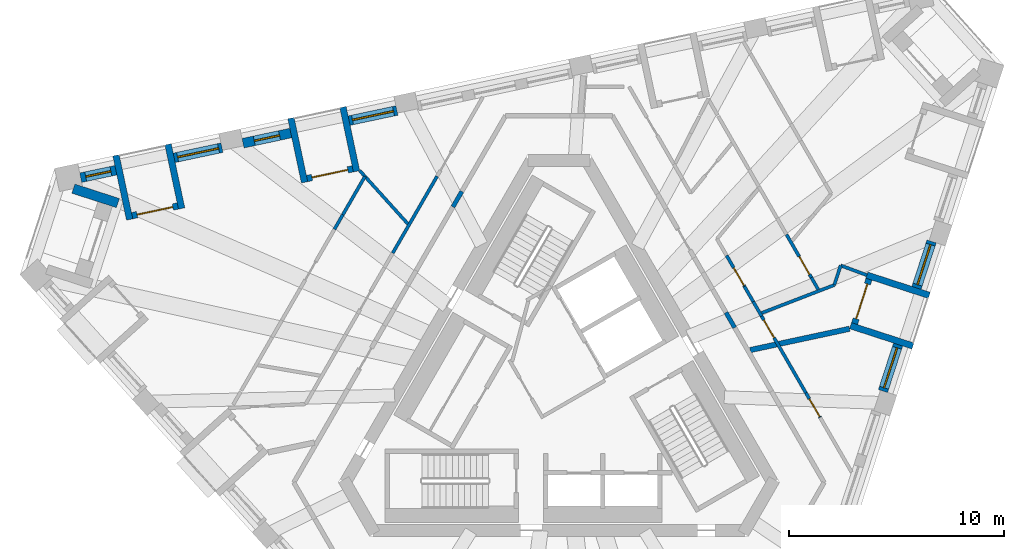
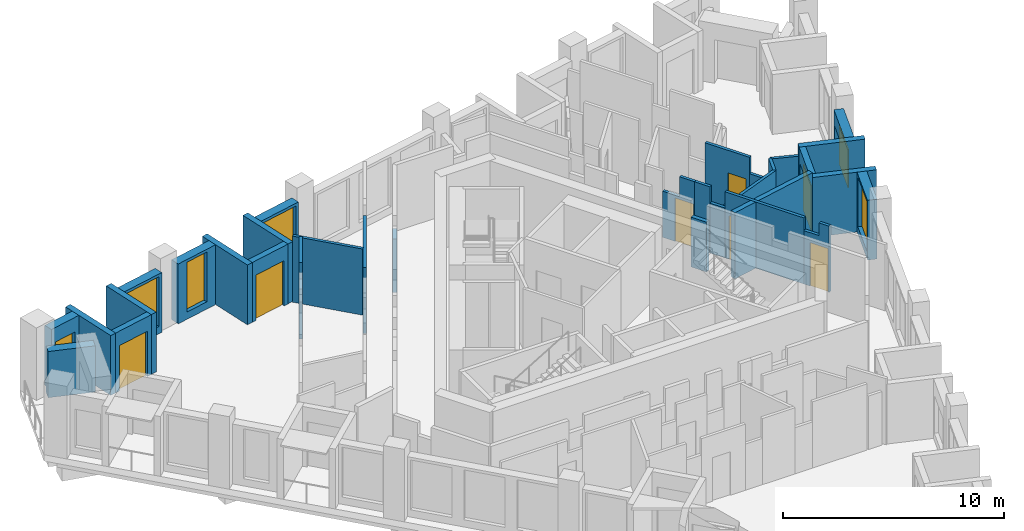
# One storey, part 6 of 12: 33 walls, 7 doors, 6 windows, 13 openings.
"""IFC4 building model written with IfcOpenShell, lengths in metres."""

from ifc_helpers import new_model, si_unit, direction, frame, frame_2d, origin, place, context, subcontext, project, spatial, polyline, rectangle, outline, extrude, material, layer, layer_set, type_object, element, fill, save


model = new_model("IFC4")

# Units and contexts
model_context = context("Model", 3, precision=1e-05, world=origin(), true_north=direction((0.0, 1.0)))
body_context = subcontext(model_context, "Body", "Model", "MODEL_VIEW")
ifc_project = project(units=[si_unit("LENGTHUNIT", "METRE"), si_unit("AREAUNIT", "SQUARE_METRE"), si_unit("VOLUMEUNIT", "CUBIC_METRE"), si_unit("PLANEANGLEUNIT", "RADIAN"), si_unit("MASSUNIT", "GRAM", prefix="KILO")], contexts=[model_context])

# Site, building, storey
site_placement = place(None, origin())
site = spatial("IfcSite", under=ifc_project, at=site_placement, CompositionType="ELEMENT")
building_placement = place(site_placement, origin())
building = spatial("IfcBuilding", under=site, at=building_placement, Name="Tramontana Tower", CompositionType="ELEMENT")
storey_placement = place(building_placement, frame((0.0, 0.0, 344.39990234375)))
storey = spatial("IfcBuildingStorey", under=building, at=storey_placement, Name="L79", CompositionType="ELEMENT", Elevation=344.39990234375)

# Walls
ifc_material_1 = material(Name="Blockwork", Category="masonry")
ifc_layer_1 = layer(ifc_material_1, 0.199951171875)
ifc_layer_set_1 = layer_set([ifc_layer_1], Name="ENTRY WALL 200")
wall_type_1 = type_object("IfcWallType", Name="ENTRY WALL 200", PredefinedType="SOLIDWALL", material=ifc_layer_set_1)
wall_1_placement = place(storey_placement, frame((-4.9287109375, 8.563232421875, 0.0), z_axis=(0.0, 0.0, 1.0), x_axis=(0.500046299512, 0.865998671098, 0.0)))
element("IfcWall", 1, at=wall_1_placement, inside=storey, type_object=wall_type_1, Name="Wall v82-ew3-9", PredefinedType="SOLIDWALL", context=body_context, shape_type="SweptSolid", body=[
    extrude(rectangle(XDim=0.82666015625, YDim=0.199951171875, at=frame_2d((0.413330078125, 0.0))), origin(), (0.0, 0.0, 1.0), 2.9501953125),
])
wall_2_placement = place(storey_placement, frame((7.765380859375, 3.64990234375, 0.0), z_axis=(0.0, 0.0, 1.0), x_axis=(0.500141487433, -0.865943700565, 0.0)))
element("IfcWall", 2, at=wall_2_placement, inside=storey, type_object=wall_type_1, Name="Wall v82-ew5-7", PredefinedType="SOLIDWALL", context=body_context, shape_type="SweptSolid", body=[
    extrude(rectangle(XDim=0.806884765625, YDim=0.199951171875, at=frame_2d((0.4033203125, 0.0))), origin(), (0.0, 0.0, 1.0), 2.75),
])

# Wall, opening, window
ifc_material_2 = material(Name="Precast concrete 60 MPa", Category="concrete")
ifc_layer_2 = layer(ifc_material_2, 0.449951171875)
ifc_layer_set_2 = layer_set([ifc_layer_2], Name="Precast concrete 60 MPa, 450 mm")
wall_type_2 = type_object("IfcWallType", Name="EW1 Stone-faced precast wall 450", PredefinedType="SOLIDWALL", material=ifc_layer_set_2)
wall_3_placement = place(storey_placement, frame((15.06298828125, 0.00244140625, 0.0), z_axis=(0.0, 0.0, 1.0), x_axis=(0.309059334219, 0.951042758204, 0.0)))
wall_3 = element("IfcWall", 3, at=wall_3_placement, inside=storey, type_object=wall_type_2, Name="External wall L79 face 1 bay 4", PredefinedType="SOLIDWALL", context=body_context, shape_type="SweptSolid", body=[
    extrude(rectangle(XDim=2.27099609375, YDim=0.449951171875, at=frame_2d((1.135498046875, 0.0))), origin(), (0.0, 0.0, 1.0), 3.300048828125),
])
opening_1_placement = place(wall_3_placement, frame((0.16064453125, 0.0, 0.39990234375)))
opening_1 = element("IfcOpeningElement", 4, at=opening_1_placement, cuts=wall_3, Name="Opening M3", PredefinedType="OPENING", context=body_context, shape_type="SweptSolid", body=[
    extrude(rectangle(XDim=1.949951171875, YDim=2.75, at=frame_2d((0.97509765625, 1.375))), frame((0.0, 0.23486328125, 0.0), z_axis=(0.0, -1.0, 0.0), x_axis=(1.0, 0.0, 0.0)), (0.0, 0.0, 1.0), 0.469970703125),
])
ifc_material_3 = material(Name="Aluminum frame, double glazing unit", Category="aluminium")
window_type_1 = type_object("IfcWindowType", Name="M3 Window 1.95 x 2.75", PartitioningType="SINGLE_PANEL", PredefinedType="WINDOW", material=ifc_material_3)
window_1_placement = place(opening_1_placement, origin())
window_1 = element("IfcWindow", 5, at=window_1_placement, inside=storey, type_object=window_type_1, Name="Window M3 L79 face 1 module 10", OverallHeight=2.75, OverallWidth=1.949951171875, PartitioningType="SINGLE_PANEL", PredefinedType="WINDOW", context=body_context, shape_type="SweptSolid", body=[
    extrude(rectangle(XDim=1.949951171875, YDim=2.75, at=frame_2d((0.97509765625, 1.375))), frame((0.0, 0.030029296875, 0.0), z_axis=(0.0, -1.0, 0.0), x_axis=(1.0, 0.0, 0.0)), (0.0, 0.0, 1.0), 0.06005859375),
])
fill(opening_1, window_1)

wall_4_placement = place(storey_placement, frame((16.62109375, 4.798095703125, 0.0), z_axis=(0.0, 0.0, 1.0), x_axis=(0.309027740273, 0.951053024674, 0.0)))
wall_4 = element("IfcWall", 6, at=wall_4_placement, inside=storey, type_object=wall_type_2, Name="External wall L79 face 1 bay 4", PredefinedType="SOLIDWALL", context=body_context, shape_type="SweptSolid", body=[
    extrude(rectangle(XDim=2.271240234375, YDim=0.449951171875, at=frame_2d((1.1357421875, 0.0))), origin(), (0.0, 0.0, 1.0), 3.300048828125),
])
opening_2_placement = place(wall_4_placement, frame((0.16064453125, 0.0, 0.39990234375)))
opening_2 = element("IfcOpeningElement", 7, at=opening_2_placement, cuts=wall_4, Name="Opening M3L", PredefinedType="OPENING", context=body_context, shape_type="SweptSolid", body=[
    extrude(rectangle(XDim=1.949951171875, YDim=2.10009765625, at=frame_2d((0.97509765625, 1.050048828125))), frame((0.0, 0.23486328125, 0.0), z_axis=(0.0, -1.0, 0.0), x_axis=(1.0, 0.0, 0.0)), (0.0, 0.0, 1.0), 0.469970703125),
])
ifc_material_4 = material(Name="Aluminum frame, double glazing unit", Category="aluminium")
window_type_2 = type_object("IfcWindowType", Name="M3L Window 1.95 x 2.1", PartitioningType="SINGLE_PANEL", PredefinedType="WINDOW", material=ifc_material_4)
window_2_placement = place(opening_2_placement, origin())
window_2 = element("IfcWindow", 8, at=window_2_placement, inside=storey, type_object=window_type_2, Name="Window M3L L79 face 1 module 12", OverallHeight=2.10009765625, OverallWidth=1.949951171875, PartitioningType="SINGLE_PANEL", PredefinedType="WINDOW", context=body_context, shape_type="SweptSolid", body=[
    extrude(rectangle(XDim=1.949951171875, YDim=2.10009765625, at=frame_2d((0.97509765625, 1.050048828125))), frame((0.0, 0.030029296875, 0.0), z_axis=(0.0, -1.0, 0.0), x_axis=(1.0, 0.0, 0.0)), (0.0, 0.0, 1.0), 0.06005859375),
])
fill(opening_2, window_2)

wall_5_placement = place(storey_placement, frame((-7.533447265625, 13.043701171875, 0.0), z_axis=(0.0, 0.0, 1.0), x_axis=(-0.978153386925, -0.207884467067, 0.0)))
wall_5 = element("IfcWall", 9, at=wall_5_placement, inside=storey, type_object=wall_type_2, Name="External wall L79 face 2 bay 4", PredefinedType="SOLIDWALL", context=body_context, shape_type="SweptSolid", body=[
    extrude(rectangle(XDim=2.271240234375, YDim=0.449951171875, at=frame_2d((1.1357421875, 0.0))), origin(), (0.0, 0.0, 1.0), 3.300048828125),
])
opening_3_placement = place(wall_5_placement, frame((0.16064453125, 0.0, 0.39990234375)))
opening_3 = element("IfcOpeningElement", 10, at=opening_3_placement, cuts=wall_5, Name="Opening M3", PredefinedType="OPENING", context=body_context, shape_type="SweptSolid", body=[
    extrude(rectangle(XDim=1.949951171875, YDim=2.75, at=frame_2d((0.97509765625, 1.375))), frame((0.0, 0.23486328125, 0.0), z_axis=(0.0, -1.0, 0.0), x_axis=(1.0, 0.0, 0.0)), (0.0, 0.0, 1.0), 0.469970703125),
])
window_3_placement = place(opening_3_placement, origin())
window_3 = element("IfcWindow", 11, at=window_3_placement, inside=storey, type_object=window_type_1, Name="Window M3 L79 face 2 module 10", OverallHeight=2.75, OverallWidth=1.949951171875, PartitioningType="SINGLE_PANEL", PredefinedType="WINDOW", context=body_context, shape_type="SweptSolid", body=[
    extrude(rectangle(XDim=1.949951171875, YDim=2.75, at=frame_2d((0.97509765625, 1.375))), frame((0.0, 0.030029296875, 0.0), z_axis=(0.0, -1.0, 0.0), x_axis=(1.0, 0.0, 0.0)), (0.0, 0.0, 1.0), 0.06005859375),
])
fill(opening_3, window_3)

wall_6_placement = place(storey_placement, frame((-12.4658203125, 11.995361328125, 0.0), z_axis=(0.0, 0.0, 1.0), x_axis=(-0.978153386925, -0.207884467067, 0.0)))
wall_6 = element("IfcWall", 12, at=wall_6_placement, inside=storey, type_object=wall_type_2, Name="External wall L79 face 2 bay 4", PredefinedType="SOLIDWALL", context=body_context, shape_type="SweptSolid", body=[
    extrude(rectangle(XDim=2.271240234375, YDim=0.449951171875, at=frame_2d((1.1357421875, 0.0))), origin(), (0.0, 0.0, 1.0), 3.300048828125),
])
opening_4_placement = place(wall_6_placement, frame((0.53564453125, 0.0, 0.39990234375)))
opening_4 = element("IfcOpeningElement", 13, at=opening_4_placement, cuts=wall_6, Name="Opening N3", PredefinedType="OPENING", context=body_context, shape_type="SweptSolid", body=[
    extrude(rectangle(XDim=1.199951171875, YDim=2.75, at=frame_2d((0.60009765625, 1.375))), frame((0.0, 0.23486328125, 0.0), z_axis=(0.0, -1.0, 0.0), x_axis=(1.0, 0.0, 0.0)), (0.0, 0.0, 1.0), 0.469970703125),
])
ifc_material_5 = material(Name="Aluminum frame, double glazing unit", Category="aluminium")
window_type_3 = type_object("IfcWindowType", Name="N3 Window 1.2 x 2.75", PartitioningType="SINGLE_PANEL", PredefinedType="WINDOW", material=ifc_material_5)
window_4_placement = place(opening_4_placement, origin())
window_4 = element("IfcWindow", 14, at=window_4_placement, inside=storey, type_object=window_type_3, Name="Window N3 L79 face 2 module 12", OverallHeight=2.75, OverallWidth=1.199951171875, PartitioningType="SINGLE_PANEL", PredefinedType="WINDOW", context=body_context, shape_type="SweptSolid", body=[
    extrude(rectangle(XDim=1.199951171875, YDim=2.75, at=frame_2d((0.60009765625, 1.375))), frame((0.0, 0.030029296875, 0.0), z_axis=(0.0, -1.0, 0.0), x_axis=(1.0, 0.0, 0.0)), (0.0, 0.0, 1.0), 0.06005859375),
])
fill(opening_4, window_4)

wall_7_placement = place(storey_placement, frame((-15.665771484375, 11.315185546875, 0.0), z_axis=(0.0, 0.0, 1.0), x_axis=(-0.978148740936, -0.207906326516, 0.0)))
wall_7 = element("IfcWall", 15, at=wall_7_placement, inside=storey, type_object=wall_type_2, Name="External wall L79 face 2 bay 5", PredefinedType="SOLIDWALL", context=body_context, shape_type="SweptSolid", body=[
    extrude(rectangle(XDim=2.27099609375, YDim=0.449951171875, at=frame_2d((1.135498046875, 0.0))), origin(), (0.0, 0.0, 1.0), 3.300048828125),
])
opening_5_placement = place(wall_7_placement, frame((0.16064453125, 0.0, 0.39990234375)))
opening_5 = element("IfcOpeningElement", 16, at=opening_5_placement, cuts=wall_7, Name="Opening M3", PredefinedType="OPENING", context=body_context, shape_type="SweptSolid", body=[
    extrude(rectangle(XDim=1.949951171875, YDim=2.75, at=frame_2d((0.97509765625, 1.375))), frame((0.0, 0.23486328125, 0.0), z_axis=(0.0, -1.0, 0.0), x_axis=(1.0, 0.0, 0.0)), (0.0, 0.0, 1.0), 0.469970703125),
])
window_5_placement = place(opening_5_placement, origin())
window_5 = element("IfcWindow", 17, at=window_5_placement, inside=storey, type_object=window_type_1, Name="Window M3 L79 face 2 module 13", OverallHeight=2.75, OverallWidth=1.949951171875, PartitioningType="SINGLE_PANEL", PredefinedType="WINDOW", context=body_context, shape_type="SweptSolid", body=[
    extrude(rectangle(XDim=1.949951171875, YDim=2.75, at=frame_2d((0.97509765625, 1.375))), frame((0.0, 0.030029296875, 0.0), z_axis=(0.0, -1.0, 0.0), x_axis=(1.0, 0.0, 0.0)), (0.0, 0.0, 1.0), 0.06005859375),
])
fill(opening_5, window_5)

wall_8_placement = place(storey_placement, frame((-20.59814453125, 10.266845703125, 0.0), z_axis=(0.0, 0.0, 1.0), x_axis=(-0.978126168783, -0.208012494676, 0.0)))
wall_8 = element("IfcWall", 18, at=wall_8_placement, inside=storey, type_object=wall_type_2, Name="External wall L79 face 2 bay 5", PredefinedType="SOLIDWALL", context=body_context, shape_type="SweptSolid", body=[
    extrude(rectangle(XDim=1.67138671875, YDim=0.449951171875, at=frame_2d((0.835693359375, 0.0))), origin(), (0.0, 0.0, 1.0), 3.300048828125),
])
opening_6_placement = place(wall_8_placement, frame((0.235595703125, 0.0, 0.39990234375)))
opening_6 = element("IfcOpeningElement", 19, at=opening_6_placement, cuts=wall_8, Name="Opening N3L", PredefinedType="OPENING", context=body_context, shape_type="SweptSolid", body=[
    extrude(rectangle(XDim=1.199951171875, YDim=2.10009765625, at=frame_2d((0.60009765625, 1.050048828125))), frame((0.0, 0.23486328125, 0.0), z_axis=(0.0, -1.0, 0.0), x_axis=(1.0, 0.0, 0.0)), (0.0, 0.0, 1.0), 0.469970703125),
])
ifc_material_6 = material(Name="Aluminum frame, double glazing unit", Category="aluminium")
window_type_4 = type_object("IfcWindowType", Name="N3L Window 1.2 x 2.1", PartitioningType="SINGLE_PANEL", PredefinedType="WINDOW", material=ifc_material_6)
window_6_placement = place(opening_6_placement, origin())
window_6 = element("IfcWindow", 20, at=window_6_placement, inside=storey, type_object=window_type_4, Name="Window N3L L79 face 2 module 15", OverallHeight=2.10009765625, OverallWidth=1.199951171875, PartitioningType="SINGLE_PANEL", PredefinedType="WINDOW", context=body_context, shape_type="SweptSolid", body=[
    extrude(rectangle(XDim=1.199951171875, YDim=2.10009765625, at=frame_2d((0.60009765625, 1.050048828125))), frame((0.0, 0.030029296875, 0.0), z_axis=(0.0, -1.0, 0.0), x_axis=(1.0, 0.0, 0.0)), (0.0, 0.0, 1.0), 0.06005859375),
])
fill(opening_6, window_6)

# Wall
wall_9_placement = place(storey_placement, frame((-22.57568359375, 9.411865234375, 0.0), z_axis=(0.0, 0.0, 1.0), x_axis=(0.951064526973, -0.308992338955, 0.0)))
element("IfcWall", 21, at=wall_9_placement, inside=storey, type_object=wall_type_2, Name="Corner loggia side wall L79 K80r", PredefinedType="SOLIDWALL", context=body_context, shape_type="SweptSolid", body=[
    extrude(rectangle(XDim=2.17919921875, YDim=0.449951171875, at=frame_2d((1.089599609375, 0.0))), origin(), (0.0, 0.0, 1.0), 2.550048828125),
])

# Wall, opening, door
ifc_material_7 = material(Name="Precast concrete 60 MPa", Category="concrete")
ifc_layer_3 = layer(ifc_material_7, 0.300048828125)
ifc_layer_set_3 = layer_set([ifc_layer_3], Name="LW1 Stone-faced loggia wall 300")
wall_type_3 = type_object("IfcWallType", Name="LW1 Stone-faced loggia wall 300", PredefinedType="SOLIDWALL", material=ifc_layer_set_3)
wall_10_placement = place(storey_placement, frame((13.741455078125, 3.13525390625, 0.0), z_axis=(0.0, 0.0, 1.0), x_axis=(0.308966581759, 0.95107289487, 0.0)))
wall_10 = element("IfcWall", 22, at=wall_10_placement, inside=storey, type_object=wall_type_3, Name="Loggia wall L79 G8S1.10", PredefinedType="SOLIDWALL", context=body_context, shape_type="SweptSolid", body=[
    extrude(rectangle(XDim=2.17138671875, YDim=0.300048828125, at=frame_2d((1.085693359375, 0.0))), origin(), (0.0, 0.0, 1.0), 3.300048828125),
])
opening_7_placement = place(wall_10_placement, frame((0.235595703125, 0.0, 0.0)))
opening_7 = element("IfcOpeningElement", 23, at=opening_7_placement, cuts=wall_10, Name="Opening BD-8S1-10", PredefinedType="OPENING", context=body_context, shape_type="SweptSolid", body=[
    extrude(rectangle(XDim=1.699951171875, YDim=2.5, at=frame_2d((0.85009765625, 1.25))), frame((0.0, 0.159912109375, 0.0), z_axis=(0.0, -1.0, 0.0), x_axis=(1.0, 0.0, 0.0)), (0.0, 0.0, 1.0), 0.320068359375),
])
ifc_material_8 = material(Name="Aluminum frame, double glazing unit", Category="aluminium")
door_type_1 = type_object("IfcDoorType", Name="BD3 Sliding door 1.7 x 2.5", OperationType="SLIDING_TO_LEFT", PredefinedType="DOOR", material=ifc_material_8)
door_1_placement = place(opening_7_placement, origin())
door_1 = element("IfcDoor", 24, at=door_1_placement, inside=storey, type_object=door_type_1, Name="Loggia door L79 G8S1.10", OperationType="SLIDING_TO_LEFT", OverallHeight=2.5, OverallWidth=1.699951171875, PredefinedType="DOOR", context=body_context, shape_type="SweptSolid", body=[
    extrude(rectangle(XDim=1.699951171875, YDim=2.5, at=frame_2d((0.85009765625, 1.25))), frame((0.0, 0.02490234375, 0.0), z_axis=(0.0, -1.0, 0.0), x_axis=(1.0, 0.0, 0.0)), (0.0, 0.0, 1.0), 0.050048828125),
])
fill(opening_7, door_1)

# Walls
for number, where, z_axis, x_axis, name in (
    (25, (16.453125, 2.096435546875, 0.0), (0.0, 0.0, 1.0), (-0.951041715693, 0.309062542235, 0.0), "Loggia return L79 G8S1.10a"),
    (26, (17.216796875, 4.44677734375, 0.0), (0.0, 0.0, 1.0), (-0.951041715693, 0.309062542235, 0.0), "Loggia return L79 G8S1.10b"),
):
    element("IfcWall", number, at=place(storey_placement, frame(where, z_axis=z_axis, x_axis=x_axis)), inside=storey, type_object=wall_type_3, Name=name, PredefinedType="SOLIDWALL", context=body_context, shape_type="SweptSolid", body=[
        extrude(rectangle(XDim=3.050048828125, YDim=0.300048828125, at=frame_2d((1.52490234375, 0.0))), origin(), (0.0, 0.0, 1.0), 3.300048828125),
    ])

# Wall, opening, door
wall_11_placement = place(storey_placement, frame((-9.5859375, 10.332763671875, 0.0), z_axis=(0.0, 0.0, 1.0), x_axis=(-0.978148276005, -0.207908513891, 0.0)))
wall_11 = element("IfcWall", 27, at=wall_11_placement, inside=storey, type_object=wall_type_3, Name="Loggia wall L79 G8S2.10", PredefinedType="SOLIDWALL", context=body_context, shape_type="SweptSolid", body=[
    extrude(rectangle(XDim=2.171142578125, YDim=0.300048828125, at=frame_2d((1.08544921875, 0.0))), origin(), (0.0, 0.0, 1.0), 3.300048828125),
])
opening_8_placement = place(wall_11_placement, frame((0.235595703125, 0.0, 0.0)))
opening_8 = element("IfcOpeningElement", 28, at=opening_8_placement, cuts=wall_11, Name="Opening BD-8S2-10", PredefinedType="OPENING", context=body_context, shape_type="SweptSolid", body=[
    extrude(rectangle(XDim=1.699951171875, YDim=2.5, at=frame_2d((0.85009765625, 1.25))), frame((0.0, 0.159912109375, 0.0), z_axis=(0.0, -1.0, 0.0), x_axis=(1.0, 0.0, 0.0)), (0.0, 0.0, 1.0), 0.320068359375),
])
door_2_placement = place(opening_8_placement, origin())
door_2 = element("IfcDoor", 29, at=door_2_placement, inside=storey, type_object=door_type_1, Name="Loggia door L79 G8S2.10", OperationType="SLIDING_TO_LEFT", OverallHeight=2.5, OverallWidth=1.699951171875, PredefinedType="DOOR", context=body_context, shape_type="SweptSolid", body=[
    extrude(rectangle(XDim=1.699951171875, YDim=2.5, at=frame_2d((0.85009765625, 1.25))), frame((0.0, 0.02490234375, 0.0), z_axis=(0.0, -1.0, 0.0), x_axis=(1.0, 0.0, 0.0)), (0.0, 0.0, 1.0), 0.050048828125),
])
fill(opening_8, door_2)

# Walls
for number, where, z_axis, x_axis, name in (
    (30, (-10.042236328125, 13.20068359375, 0.0), (0.0, 0.0, 1.0), (0.207954487003, -0.978138503145, 0.0), "Loggia return L79 G8S2.10a"),
    (31, (-12.45947265625, 12.686767578125, 0.0), (0.0, 0.0, 1.0), (0.207877902534, -0.978154782045, 0.0), "Loggia return L79 G8S2.10b"),
):
    element("IfcWall", number, at=place(storey_placement, frame(where, z_axis=z_axis, x_axis=x_axis)), inside=storey, type_object=wall_type_3, Name=name, PredefinedType="SOLIDWALL", context=body_context, shape_type="SweptSolid", body=[
        extrude(rectangle(XDim=3.050048828125, YDim=0.300048828125, at=frame_2d((1.52490234375, 0.0))), origin(), (0.0, 0.0, 1.0), 3.300048828125),
    ])

# Wall, opening, door
wall_12_placement = place(storey_placement, frame((-17.71826171875, 8.604248046875, 0.0), z_axis=(0.0, 0.0, 1.0), x_axis=(-0.978148276005, -0.207908513891, 0.0)))
wall_12 = element("IfcWall", 32, at=wall_12_placement, inside=storey, type_object=wall_type_3, Name="Loggia wall L79 G8S2.13", PredefinedType="SOLIDWALL", context=body_context, shape_type="SweptSolid", body=[
    extrude(rectangle(XDim=2.171142578125, YDim=0.300048828125, at=frame_2d((1.08544921875, 0.0))), origin(), (0.0, 0.0, 1.0), 3.300048828125),
])
opening_9_placement = place(wall_12_placement, frame((0.235595703125, 0.0, 0.0)))
opening_9 = element("IfcOpeningElement", 33, at=opening_9_placement, cuts=wall_12, Name="Opening BD-8S2-13", PredefinedType="OPENING", context=body_context, shape_type="SweptSolid", body=[
    extrude(rectangle(XDim=1.699951171875, YDim=2.5, at=frame_2d((0.85009765625, 1.25))), frame((0.0, 0.159912109375, 0.0), z_axis=(0.0, -1.0, 0.0), x_axis=(1.0, 0.0, 0.0)), (0.0, 0.0, 1.0), 0.320068359375),
])
door_3_placement = place(opening_9_placement, origin())
door_3 = element("IfcDoor", 34, at=door_3_placement, inside=storey, type_object=door_type_1, Name="Loggia door L79 G8S2.13", OperationType="SLIDING_TO_LEFT", OverallHeight=2.5, OverallWidth=1.699951171875, PredefinedType="DOOR", context=body_context, shape_type="SweptSolid", body=[
    extrude(rectangle(XDim=1.699951171875, YDim=2.5, at=frame_2d((0.85009765625, 1.25))), frame((0.0, 0.02490234375, 0.0), z_axis=(0.0, -1.0, 0.0), x_axis=(1.0, 0.0, 0.0)), (0.0, 0.0, 1.0), 0.050048828125),
])
fill(opening_9, door_3)

# Walls
wall_13_placement = place(storey_placement, frame((-18.17431640625, 11.471923828125, 0.0), z_axis=(0.0, 0.0, 1.0), x_axis=(0.207894179953, -0.978151322619, 0.0)))
element("IfcWall", 35, at=wall_13_placement, inside=storey, type_object=wall_type_3, Name="Loggia return L79 G8S2.13a", PredefinedType="SOLIDWALL", context=body_context, shape_type="SweptSolid", body=[
    extrude(rectangle(XDim=3.0498046875, YDim=0.300048828125, at=frame_2d((1.52490234375, 0.0))), origin(), (0.0, 0.0, 1.0), 3.300048828125),
])
wall_14_placement = place(storey_placement, frame((-20.591552734375, 10.958251953125, 0.0), z_axis=(0.0, 0.0, 1.0), x_axis=(0.207877902534, -0.978154782045, 0.0)))
element("IfcWall", 36, at=wall_14_placement, inside=storey, type_object=wall_type_3, Name="Loggia return L79 G8S2.13b", PredefinedType="SOLIDWALL", context=body_context, shape_type="SweptSolid", body=[
    extrude(rectangle(XDim=3.050048828125, YDim=0.300048828125, at=frame_2d((1.52490234375, 0.0))), origin(), (0.0, 0.0, 1.0), 3.300048828125),
])
ifc_material_9 = material(Name="Gypsum board partition")
ifc_layer_4 = layer(ifc_material_9, 0.14990234375)
ifc_layer_set_4 = layer_set([ifc_layer_4], Name="PARTITION 150")
wall_type_4 = type_object("IfcWallType", Name="PARTITION 150", PredefinedType="PARTITIONING", material=ifc_layer_set_4)
wall_15_placement = place(storey_placement, frame((-10.438232421875, 7.520263671875, 0.0), z_axis=(0.0, 0.0, 1.0), x_axis=(0.500001804394, 0.866024362014, 0.0)))
element("IfcWall", 37, at=wall_15_placement, inside=storey, type_object=wall_type_4, Name="Wall v82-pw02-5", PredefinedType="PARTITIONING", context=body_context, shape_type="SweptSolid", body=[
    extrude(rectangle(XDim=0.78173828125, YDim=0.14990234375, at=frame_2d((0.390869140625, 0.0))), origin(), (0.0, 0.0, 1.0), 2.75),
])
wall_16_placement = place(storey_placement, frame((-10.04736328125, 8.197265625, 0.0), z_axis=(0.0, 0.0, 1.0), x_axis=(0.499972721762, 0.86604115231, 0.0)))
element("IfcWall", 38, at=wall_16_placement, inside=storey, type_object=wall_type_4, Name="Wall v82-pw02-6", PredefinedType="PARTITIONING", context=body_context, shape_type="SweptSolid", body=[
    extrude(rectangle(XDim=2.0546875, YDim=0.14990234375, at=frame_2d((1.02734375, 0.0))), origin(), (0.0, 0.0, 1.0), 3.650146484375),
])
wall_17_placement = place(storey_placement, frame((-7.726806640625, 6.416748046875, 0.0), z_axis=(0.0, 0.0, 1.0), x_axis=(0.50002680699, 0.866009926209, 0.0)))
element("IfcWall", 39, at=wall_17_placement, inside=storey, type_object=wall_type_4, Name="Wall v82-pw03-7", PredefinedType="PARTITIONING", context=body_context, shape_type="SweptSolid", body=[
    extrude(rectangle(XDim=4.119873046875, YDim=0.14990234375, at=frame_2d((2.06005859375, 0.0))), origin(), (0.0, 0.0, 1.0), 3.650146484375),
])
wall_18_placement = place(storey_placement, frame((-9.26123046875, 10.248291015625, 0.0), z_axis=(0.0, 0.0, 1.0), x_axis=(0.670469843063, -0.741936782714, 0.0)))
element("IfcWall", 40, at=wall_18_placement, inside=storey, type_object=wall_type_4, Name="Wall v82-pw06", PredefinedType="PARTITIONING", context=body_context, shape_type="SweptSolid", body=[
    extrude(rectangle(XDim=3.330810546875, YDim=0.14990234375, at=frame_2d((1.66552734375, 0.0))), origin(), (0.0, 0.0, 1.0), 3.650146484375),
])

# Wall, opening, door
wall_19_placement = place(storey_placement, frame((7.792236328125, 6.303466796875, 0.0), z_axis=(0.0, 0.0, 1.0), x_axis=(0.500027802648, -0.866009351323, 0.0)))
wall_19 = element("IfcWall", 41, at=wall_19_placement, inside=storey, type_object=wall_type_4, Name="Wall v82-pw17-1", PredefinedType="PARTITIONING", context=body_context, shape_type="SweptSolid", body=[
    extrude(outline(polyline([(0.0, 0.0), (1.6611328125, 0.0), (1.660888671875, 3.650146484375), (0.880615234375, 3.650146484375), (0.880615234375, 2.550048828125), (0.0, 2.550048828125), (0.0, 0.0)])), frame((0.0, 0.074951171875, 0.0), z_axis=(0.0, -1.0, 0.0), x_axis=(1.0, 0.0, 0.0)), (0.0, 0.0, 1.0), 0.14990234375),
])
opening_10_placement = place(wall_19_placement, frame((0.660888671875, 0.0, 0.0)))
opening_10 = element("IfcOpeningElement", 42, at=opening_10_placement, cuts=wall_19, Name="Opening B8C-08", PredefinedType="OPENING", context=body_context, shape_type="SweptSolid", body=[
    extrude(rectangle(XDim=0.949951171875, YDim=2.39990234375, at=frame_2d((0.47509765625, 1.199951171875))), frame((0.0, 0.0849609375, 0.0), z_axis=(0.0, -1.0, 0.0), x_axis=(1.0, 0.0, 0.0)), (0.0, 0.0, 1.0), 0.169921875),
])
ifc_material_10 = material(Name="Painted timber", Category="wood")
door_type_2 = type_object("IfcDoorType", Name="DOOR ROOM 950", OperationType="SINGLE_SWING_LEFT", PredefinedType="DOOR", material=ifc_material_10)
door_4_placement = place(opening_10_placement, origin())
door_4 = element("IfcDoor", 43, at=door_4_placement, inside=storey, type_object=door_type_2, Name="Door B8C-08", OperationType="SINGLE_SWING_RIGHT", OverallHeight=2.39990234375, OverallWidth=0.949951171875, PredefinedType="DOOR", context=body_context, shape_type="SweptSolid", body=[
    extrude(rectangle(XDim=0.949951171875, YDim=2.39990234375, at=frame_2d((0.47509765625, 1.199951171875))), frame((0.0, 0.02490234375, 0.0), z_axis=(0.0, -1.0, 0.0), x_axis=(1.0, 0.0, 0.0)), (0.0, 0.0, 1.0), 0.050048828125),
])
fill(opening_10, door_4)

# Walls
wall_20_placement = place(storey_placement, frame((8.622802734375, 4.864990234375, 0.0), z_axis=(0.0, 0.0, 1.0), x_axis=(0.500042693391, -0.866000753341, 0.0)))
element("IfcWall", 44, at=wall_20_placement, inside=storey, type_object=wall_type_4, Name="Wall v82-pw17-2", PredefinedType="PARTITIONING", context=body_context, shape_type="SweptSolid", body=[
    extrude(rectangle(XDim=0.81396484375, YDim=0.14990234375, at=frame_2d((0.406982421875, 0.0))), origin(), (0.0, 0.0, 1.0), 3.650146484375),
])
wall_21_placement = place(storey_placement, frame((9.02978515625, 4.16015625, 0.0), z_axis=(0.0, 0.0, 1.0), x_axis=(0.499767520639, -0.866159584207, 0.0)))
element("IfcWall", 45, at=wall_21_placement, inside=storey, type_object=wall_type_4, Name="Wall v82-pw17-3", PredefinedType="PARTITIONING", context=body_context, shape_type="SweptSolid", body=[
    extrude(rectangle(XDim=0.781494140625, YDim=0.14990234375, at=frame_2d((0.390625, 0.0))), origin(), (0.0, 0.0, 1.0), 2.75),
])

# Wall, opening, door
wall_22_placement = place(storey_placement, frame((9.42041015625, 3.483154296875, 0.0), z_axis=(0.0, 0.0, 1.0), x_axis=(0.50002680699, -0.866009926209, 0.0)))
wall_22 = element("IfcWall", 46, at=wall_22_placement, inside=storey, type_object=wall_type_4, Name="Wall v82-pw17-4", PredefinedType="PARTITIONING", context=body_context, shape_type="SweptSolid", body=[
    extrude(rectangle(XDim=4.119873046875, YDim=0.14990234375, at=frame_2d((2.06005859375, 0.0))), origin(), (0.0, 0.0, 1.0), 3.650146484375),
])
opening_11_placement = place(wall_22_placement, frame((0.20654296875, 0.0, 0.0)))
opening_11 = element("IfcOpeningElement", 47, at=opening_11_placement, cuts=wall_22, Name="Opening B8C-10", PredefinedType="OPENING", context=body_context, shape_type="SweptSolid", body=[
    extrude(rectangle(XDim=0.949951171875, YDim=2.39990234375, at=frame_2d((0.47509765625, 1.199951171875))), frame((0.0, 0.0849609375, 0.0), z_axis=(0.0, -1.0, 0.0), x_axis=(1.0, 0.0, 0.0)), (0.0, 0.0, 1.0), 0.169921875),
])
door_5_placement = place(opening_11_placement, origin())
door_5 = element("IfcDoor", 48, at=door_5_placement, inside=storey, type_object=door_type_2, Name="Door B8C-10", OperationType="SINGLE_SWING_RIGHT", OverallHeight=2.39990234375, OverallWidth=0.949951171875, PredefinedType="DOOR", context=body_context, shape_type="SweptSolid", body=[
    extrude(rectangle(XDim=0.949951171875, YDim=2.39990234375, at=frame_2d((0.47509765625, 1.199951171875))), frame((0.0, 0.02490234375, 0.0), z_axis=(0.0, -1.0, 0.0), x_axis=(1.0, 0.0, 0.0)), (0.0, 0.0, 1.0), 0.050048828125),
])
fill(opening_11, door_5)

wall_23_placement = place(storey_placement, frame((11.48046875, -0.084716796875, 0.0), z_axis=(0.0, 0.0, 1.0), x_axis=(0.499941428866, -0.866059217203, 0.0)))
wall_23 = element("IfcWall", 49, at=wall_23_placement, inside=storey, type_object=wall_type_4, Name="Wall v82-pw17-5", PredefinedType="PARTITIONING", context=body_context, shape_type="SweptSolid", body=[
    extrude(outline(polyline([(0.0, 0.0), (1.319091796875, 0.0), (1.319091796875, 3.650146484375), (0.796875, 3.650146484375), (0.796875, 2.9501953125), (0.0, 2.9501953125), (0.0, 0.0)])), frame((0.0, 0.074951171875, 0.0), z_axis=(0.0, -1.0, 0.0), x_axis=(1.0, 0.0, 0.0)), (0.0, 0.0, 1.0), 0.14990234375),
])
opening_12_placement = place(wall_23_placement, frame((0.319091796875, 0.0, 0.0)))
opening_12 = element("IfcOpeningElement", 50, at=opening_12_placement, cuts=wall_23, Name="Opening B8C-07", PredefinedType="OPENING", context=body_context, shape_type="SweptSolid", body=[
    extrude(rectangle(XDim=0.949951171875, YDim=2.39990234375, at=frame_2d((0.47509765625, 1.199951171875))), frame((0.0, 0.0849609375, 0.0), z_axis=(0.0, -1.0, 0.0), x_axis=(1.0, 0.0, 0.0)), (0.0, 0.0, 1.0), 0.169921875),
])
door_6_placement = place(opening_12_placement, origin())
door_6 = element("IfcDoor", 51, at=door_6_placement, inside=storey, type_object=door_type_2, Name="Door B8C-07", OperationType="SINGLE_SWING_LEFT", OverallHeight=2.39990234375, OverallWidth=0.949951171875, PredefinedType="DOOR", context=body_context, shape_type="SweptSolid", body=[
    extrude(rectangle(XDim=0.949951171875, YDim=2.39990234375, at=frame_2d((0.47509765625, 1.199951171875))), frame((0.0, 0.02490234375, 0.0), z_axis=(0.0, -1.0, 0.0), x_axis=(1.0, 0.0, 0.0)), (0.0, 0.0, 1.0), 0.050048828125),
])
fill(opening_12, door_6)

wall_24_placement = place(storey_placement, frame((10.57958984375, 7.275390625, 0.0), z_axis=(0.0, 0.0, 1.0), x_axis=(0.500012835235, -0.866017993231, 0.0)))
wall_24 = element("IfcWall", 52, at=wall_24_placement, inside=storey, type_object=wall_type_4, Name="Wall v82-pw19-4", PredefinedType="PARTITIONING", context=body_context, shape_type="SweptSolid", body=[
    extrude(rectangle(XDim=2.3046875, YDim=0.14990234375, at=frame_2d((1.15234375, 0.0))), origin(), (0.0, 0.0, 1.0), 3.650146484375),
])
opening_13_placement = place(wall_24_placement, frame((1.183837890625, 0.0, 0.0)))
opening_13 = element("IfcOpeningElement", 53, at=opening_13_placement, cuts=wall_24, Name="Opening B8C-14", PredefinedType="OPENING", context=body_context, shape_type="SweptSolid", body=[
    extrude(rectangle(XDim=0.949951171875, YDim=2.39990234375, at=frame_2d((0.47509765625, 1.199951171875))), frame((0.0, 0.0849609375, 0.0), z_axis=(0.0, -1.0, 0.0), x_axis=(1.0, 0.0, 0.0)), (0.0, 0.0, 1.0), 0.169921875),
])
door_7_placement = place(opening_13_placement, origin())
door_7 = element("IfcDoor", 54, at=door_7_placement, inside=storey, type_object=door_type_2, Name="Door B8C-14", OperationType="SINGLE_SWING_RIGHT", OverallHeight=2.39990234375, OverallWidth=0.949951171875, PredefinedType="DOOR", context=body_context, shape_type="SweptSolid", body=[
    extrude(rectangle(XDim=0.949951171875, YDim=2.39990234375, at=frame_2d((0.47509765625, 1.199951171875))), frame((0.0, 0.02490234375, 0.0), z_axis=(0.0, -1.0, 0.0), x_axis=(1.0, 0.0, 0.0)), (0.0, 0.0, 1.0), 0.050048828125),
])
fill(opening_13, door_7)

# Walls
wall_25_placement = place(storey_placement, frame((11.73193359375, 5.279541015625, 0.0), z_axis=(0.0, 0.0, 1.0), x_axis=(0.500182682664, -0.865919906206, 0.0)))
element("IfcWall", 55, at=wall_25_placement, inside=storey, type_object=wall_type_4, Name="Wall v82-pw19-5", PredefinedType="PARTITIONING", context=body_context, shape_type="SweptSolid", body=[
    extrude(rectangle(XDim=0.642822265625, YDim=0.14990234375, at=frame_2d((0.3212890625, 0.0))), origin(), (0.0, 0.0, 1.0), 2.75),
])
wall_26_placement = place(storey_placement, frame((12.7998046875, 4.93017578125, 0.0), z_axis=(0.0, 0.0, 1.0), x_axis=(-0.933173371739, -0.359426568685, 0.0)))
element("IfcWall", 56, at=wall_26_placement, inside=storey, type_object=wall_type_4, Name="Wall v82-pw26-0", PredefinedType="PARTITIONING", context=body_context, shape_type="SweptSolid", body=[
    extrude(rectangle(XDim=3.619140625, YDim=0.14990234375, at=frame_2d((1.8095703125, 0.0))), origin(), (0.0, 0.0, 1.0), 2.75),
])
wall_27_placement = place(storey_placement, frame((13.094482421875, 5.8369140625, 0.0), z_axis=(0.0, 0.0, 1.0), x_axis=(-0.309074492062, -0.951037832243, 0.0)))
element("IfcWall", 57, at=wall_27_placement, inside=storey, type_object=wall_type_4, Name="Wall v82-pw27-0", PredefinedType="PARTITIONING", context=body_context, shape_type="SweptSolid", body=[
    extrude(rectangle(XDim=0.953369140625, YDim=0.14990234375, at=frame_2d((0.4765625, 0.0))), origin(), (0.0, 0.0, 1.0), 2.75),
])
wall_28_placement = place(storey_placement, frame((14.316162109375, 5.389404296875, 0.0), z_axis=(0.0, 0.0, 1.0), x_axis=(-0.938458564783, 0.345391838621, 0.0)))
element("IfcWall", 58, at=wall_28_placement, inside=storey, type_object=wall_type_4, Name="Wall v82-pw28-0", PredefinedType="PARTITIONING", context=body_context, shape_type="SweptSolid", body=[
    extrude(rectangle(XDim=1.299072265625, YDim=0.14990234375, at=frame_2d((0.6494140625, 0.0))), origin(), (0.0, 0.0, 1.0), 2.75),
])
ifc_material_11 = material(Name="Blockwork", Category="masonry")
ifc_layer_5 = layer(ifc_material_11, 0.25)
ifc_layer_set_5 = layer_set([ifc_layer_5], Name="PARTY WALL 250")
wall_type_5 = type_object("IfcWallType", Name="PARTY WALL 250", PredefinedType="SOLIDWALL", material=ifc_layer_set_5)
wall_29_placement = place(storey_placement, frame((8.887939453125, 1.906005859375, 0.0), z_axis=(0.0, 0.0, 1.0), x_axis=(0.977775173816, 0.209656169645, 0.0)))
element("IfcWall", 59, at=wall_29_placement, inside=storey, type_object=wall_type_5, Name="Wall v82-pw22", PredefinedType="SOLIDWALL", context=body_context, shape_type="SweptSolid", body=[
    extrude(rectangle(XDim=4.72314453125, YDim=0.25, at=frame_2d((2.361572265625, 0.0))), origin(), (0.0, 0.0, 1.0), 3.650146484375),
])

save(model, "model.ifc")
